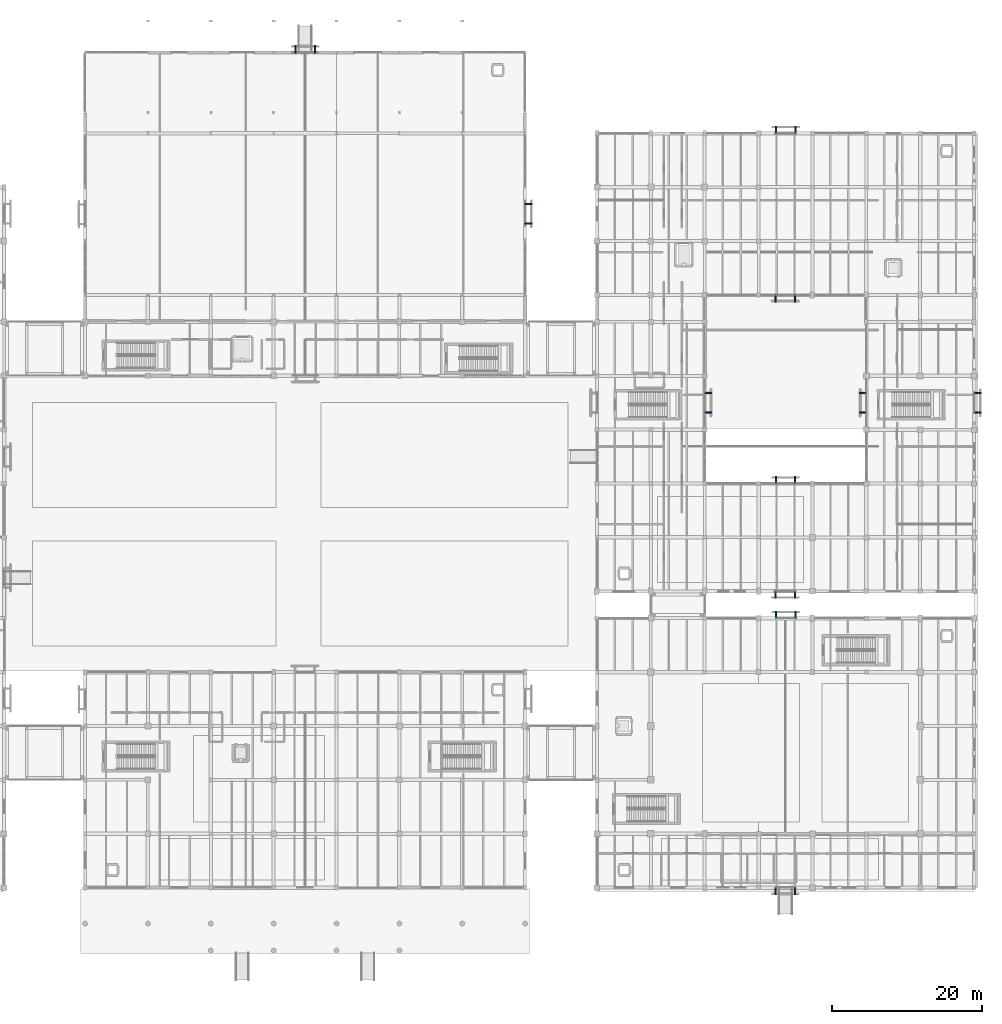
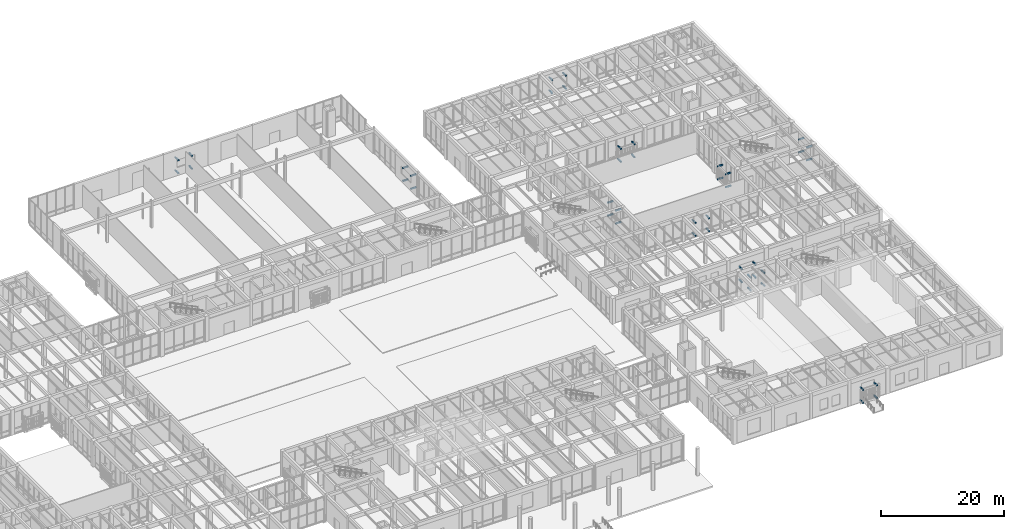
# One storey, part 137 of 169: 44 discrete accessories.
"""IFC4 building model written with IfcOpenShell, lengths in metres."""

from ifc_helpers import new_model, si_unit, direction, frame, origin, origin_2d, place, context, subcontext, project, spatial, rectangle, extrude, material, type_object, element, save


model = new_model("IFC4")

# Units and contexts
model_context = context("Model", 3, precision=1e-05, world=origin(), true_north=direction((0.0, 1.0)))
body_context = subcontext(model_context, "Body", "Model", "MODEL_VIEW")
ifc_project = project(units=[si_unit("LENGTHUNIT", "METRE"), si_unit("AREAUNIT", "SQUARE_METRE"), si_unit("VOLUMEUNIT", "CUBIC_METRE"), si_unit("PLANEANGLEUNIT", "RADIAN"), si_unit("MASSUNIT", "GRAM", prefix="KILO")], contexts=[model_context])

# Site, building, storey
site_placement = place(None, origin())
site = spatial("IfcSite", under=ifc_project, at=site_placement, CompositionType="ELEMENT")
building_placement = place(site_placement, origin())
building = spatial("IfcBuilding", under=site, at=building_placement, Name="Mazaris Harbour Polytechnic", CompositionType="ELEMENT")
storey_placement = place(building_placement, origin())
storey = spatial("IfcBuildingStorey", under=building, at=storey_placement, Name="L00", CompositionType="ELEMENT", Elevation=0.0)

# Discrete accessories
ifc_material = material(Name="Stainless Steel S355", Category="steel")
discrete_accessory_type = type_object("IfcDiscreteAccessoryType", Name="Stainless Screen Outrigger Bracket 200x1020x200", PredefinedType="BRACKET", material=ifc_material)
for number, where, z_axis, x_axis, name in (
    (1, (82.10400390625, 119.239990234375, 0.16015625), (0.0, 0.0, 1.0), (1.0, 0.0, 0.0), "Screen Outrigger Bracket 5"),
    (2, (82.10400390625, 119.239990234375, 2.740234375), (0.0, 0.0, 1.0), (1.0, 0.0, 0.0), "Screen Outrigger Bracket 6"),
    (3, (84.696044921875, 119.239990234375, 0.16015625), (0.0, 0.0, 1.0), (1.0, 0.0, 0.0), "Screen Outrigger Bracket 7"),
    (4, (84.696044921875, 119.239990234375, 2.740234375), (0.0, 0.0, 1.0), (1.0, 0.0, 0.0), "Screen Outrigger Bracket 8"),
    (5, (113.239990234375, 98.55859375, 0.16015625), (0.0, 0.0, 1.0), (0.0, -1.0, 0.0), "Screen Outrigger Bracket 13"),
    (6, (113.239990234375, 98.55859375, 2.740234375), (0.0, 0.0, 1.0), (0.0, -1.0, 0.0), "Screen Outrigger Bracket 14"),
    (7, (113.239990234375, 95.966552734375, 0.16015625), (0.0, 0.0, 1.0), (0.0, -1.0, 0.0), "Screen Outrigger Bracket 15"),
    (8, (113.239990234375, 95.966552734375, 2.740234375), (0.0, 0.0, 1.0), (0.0, -1.0, 0.0), "Screen Outrigger Bracket 16"),
    (9, (148.845947265625, 6.760009765625, 0.16015625), (0.0, 0.0, 1.0), (-1.0, 0.0, 0.0), "Screen Outrigger Bracket 169"),
    (10, (148.845947265625, 6.760009765625, 2.740234375), (0.0, 0.0, 1.0), (-1.0, 0.0, 0.0), "Screen Outrigger Bracket 170"),
    (11, (146.25390625, 6.760009765625, 0.16015625), (0.0, 0.0, 1.0), (-1.0, 0.0, 0.0), "Screen Outrigger Bracket 171"),
    (12, (146.25390625, 6.760009765625, 2.740234375), (0.0, 0.0, 1.0), (-1.0, 0.0, 0.0), "Screen Outrigger Bracket 172"),
    (13, (146.3291015625, 43.639892578125, 0.16015625), (0.0, 0.0, 1.0), (1.0, 0.0, 0.0), "Screen Outrigger Bracket 173"),
    (14, (146.3291015625, 43.639892578125, 2.740234375), (0.0, 0.0, 1.0), (1.0, 0.0, 0.0), "Screen Outrigger Bracket 174"),
    (15, (148.9208984375, 43.639892578125, 0.16015625), (0.0, 0.0, 1.0), (1.0, 0.0, 0.0), "Screen Outrigger Bracket 175"),
    (16, (148.9208984375, 43.639892578125, 2.740234375), (0.0, 0.0, 1.0), (1.0, 0.0, 0.0), "Screen Outrigger Bracket 176"),
    (17, (148.8583984375, 46.360107421875, 0.16015625), (0.0, 0.0, 1.0), (-1.0, 0.0, 0.0), "Screen Outrigger Bracket 1429"),
    (18, (148.8583984375, 46.360107421875, 2.740234375), (0.0, 0.0, 1.0), (-1.0, 0.0, 0.0), "Screen Outrigger Bracket 1430"),
    (19, (146.2666015625, 46.360107421875, 0.16015625), (0.0, 0.0, 1.0), (-1.0, 0.0, 0.0), "Screen Outrigger Bracket 1431"),
    (20, (146.2666015625, 46.360107421875, 2.740234375), (0.0, 0.0, 1.0), (-1.0, 0.0, 0.0), "Screen Outrigger Bracket 1432"),
    (21, (146.341552734375, 108.43994140625, 0.16015625), (0.0, 0.0, 1.0), (1.0, 0.0, 0.0), "Screen Outrigger Bracket 1433"),
    (22, (146.341552734375, 108.43994140625, 2.740234375), (0.0, 0.0, 1.0), (1.0, 0.0, 0.0), "Screen Outrigger Bracket 1434"),
    (23, (148.93359375, 108.43994140625, 0.16015625), (0.0, 0.0, 1.0), (1.0, 0.0, 0.0), "Screen Outrigger Bracket 1435"),
    (24, (148.93359375, 108.43994140625, 2.740234375), (0.0, 0.0, 1.0), (1.0, 0.0, 0.0), "Screen Outrigger Bracket 1436"),
    (25, (173.239990234375, 73.283447265625, 0.16015625), (0.0, 0.0, 1.0), (0.0, -1.0, 0.0), "Screen Outrigger Bracket 1441"),
    (26, (173.239990234375, 73.283447265625, 2.740234375), (0.0, 0.0, 1.0), (0.0, -1.0, 0.0), "Screen Outrigger Bracket 1442"),
    (27, (173.239990234375, 70.69140625, 0.16015625), (0.0, 0.0, 1.0), (0.0, -1.0, 0.0), "Screen Outrigger Bracket 1443"),
    (28, (173.239990234375, 70.69140625, 2.740234375), (0.0, 0.0, 1.0), (0.0, -1.0, 0.0), "Screen Outrigger Bracket 1444"),
    (29, (146.303955078125, 61.639892578125, 0.16015625), (0.0, 0.0, 1.0), (1.0, 0.0, 0.0), "Screen Outrigger Bracket 1445"),
    (30, (146.303955078125, 61.639892578125, 2.740234375), (0.0, 0.0, 1.0), (1.0, 0.0, 0.0), "Screen Outrigger Bracket 1446"),
    (31, (148.89599609375, 61.639892578125, 0.16015625), (0.0, 0.0, 1.0), (1.0, 0.0, 0.0), "Screen Outrigger Bracket 1447"),
    (32, (148.89599609375, 61.639892578125, 2.740234375), (0.0, 0.0, 1.0), (1.0, 0.0, 0.0), "Screen Outrigger Bracket 1448"),
    (33, (148.883544921875, 85.9599609375, 0.16015625), (0.0, 0.0, 1.0), (-1.0, 0.0, 0.0), "Screen Outrigger Bracket 1449"),
    (34, (148.883544921875, 85.9599609375, 2.740234375), (0.0, 0.0, 1.0), (-1.0, 0.0, 0.0), "Screen Outrigger Bracket 1450"),
    (35, (146.29150390625, 85.9599609375, 0.16015625), (0.0, 0.0, 1.0), (-1.0, 0.0, 0.0), "Screen Outrigger Bracket 1451"),
    (36, (146.29150390625, 85.9599609375, 2.740234375), (0.0, 0.0, 1.0), (-1.0, 0.0, 0.0), "Screen Outrigger Bracket 1452"),
    (37, (137.239990234375, 70.69140625, 0.16015625), (0.0, 0.0, 1.0), (0.0, 1.0, 0.0), "Screen Outrigger Bracket 1453"),
    (38, (137.239990234375, 70.69140625, 2.740234375), (0.0, 0.0, 1.0), (0.0, 1.0, 0.0), "Screen Outrigger Bracket 1454"),
    (39, (137.239990234375, 73.283447265625, 0.16015625), (0.0, 0.0, 1.0), (0.0, 1.0, 0.0), "Screen Outrigger Bracket 1455"),
    (40, (137.239990234375, 73.283447265625, 2.740234375), (0.0, 0.0, 1.0), (0.0, 1.0, 0.0), "Screen Outrigger Bracket 1456"),
    (41, (157.9599609375, 73.283447265625, 0.16015625), (0.0, 0.0, 1.0), (0.0, -1.0, 0.0), "Screen Outrigger Bracket 1457"),
    (42, (157.9599609375, 73.283447265625, 2.740234375), (0.0, 0.0, 1.0), (0.0, -1.0, 0.0), "Screen Outrigger Bracket 1458"),
    (43, (157.9599609375, 70.69140625, 0.16015625), (0.0, 0.0, 1.0), (0.0, -1.0, 0.0), "Screen Outrigger Bracket 1459"),
    (44, (157.9599609375, 70.69140625, 2.740234375), (0.0, 0.0, 1.0), (0.0, -1.0, 0.0), "Screen Outrigger Bracket 1460"),
):
    element("IfcDiscreteAccessory", number, at=place(storey_placement, frame(where, z_axis=z_axis, x_axis=x_axis)), inside=storey, type_object=discrete_accessory_type, Name=name, PredefinedType="BRACKET", context=body_context, shape_type="SweptSolid", body=[
        extrude(rectangle(XDim=0.199951171875, YDim=1.02001953125, at=origin_2d()), origin(), (0.0, 0.0, 1.0), 0.199951171875),
    ])

save(model, "model.ifc")
